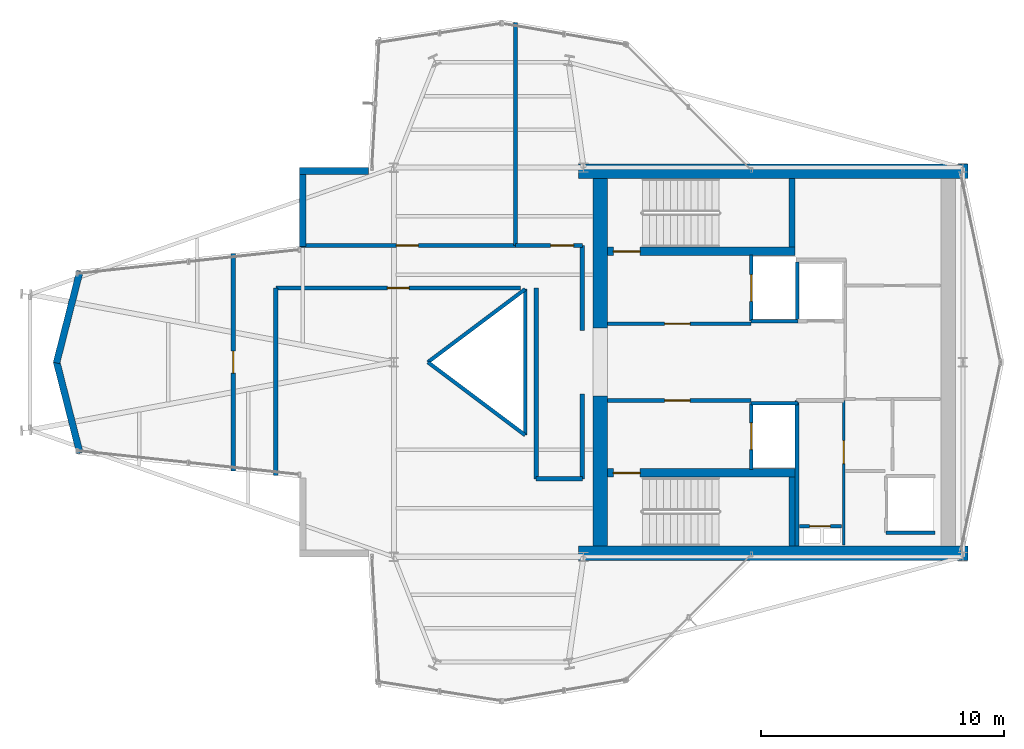
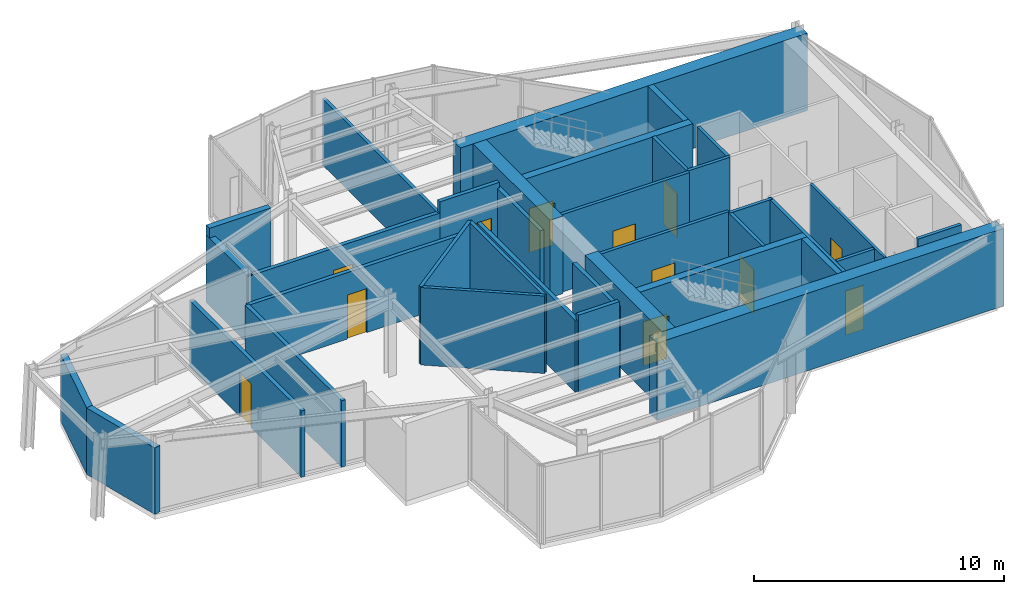
# One storey, part 11 of 13: 36 walls, 12 doors, 12 openings.
"""IFC4 building model written with IfcOpenShell, lengths in metres."""

from ifc_helpers import new_model, si_unit, direction, frame, frame_2d, origin, place, context, subcontext, project, spatial, rectangle, extrude, material, layer, layer_set, type_object, element, fill, save


model = new_model("IFC4")

# Units and contexts
model_context = context("Model", 3, precision=1e-05, world=origin(), true_north=direction((0.0, 1.0)))
body_context = subcontext(model_context, "Body", "Model", "MODEL_VIEW")
ifc_project = project(units=[si_unit("LENGTHUNIT", "METRE"), si_unit("AREAUNIT", "SQUARE_METRE"), si_unit("VOLUMEUNIT", "CUBIC_METRE"), si_unit("PLANEANGLEUNIT", "RADIAN"), si_unit("MASSUNIT", "GRAM", prefix="KILO")], contexts=[model_context])

# Site, building, storey
site_placement = place(None, origin())
site = spatial("IfcSite", under=ifc_project, at=site_placement, CompositionType="ELEMENT")
building_placement = place(site_placement, origin())
building = spatial("IfcBuilding", under=site, at=building_placement, Name="Veymaron Broadcast Tower", CompositionType="ELEMENT")
storey_placement = place(building_placement, frame((0.0, 0.0, 311.39990234375)))
storey = spatial("IfcBuildingStorey", under=building, at=storey_placement, Name="L73", CompositionType="ELEMENT", Elevation=311.39990234375)

# Walls
ifc_material_1 = material(Name="Precast concrete C40/50", Category="concrete")
ifc_layer_1 = layer(ifc_material_1, 0.280029296875)
ifc_layer_set_1 = layer_set([ifc_layer_1], Name="Precast concrete C40/50")
wall_type_1 = type_object("IfcWallType", Name="WALL-EXT-280", PredefinedType="STANDARD", material=ifc_layer_set_1)
wall_1_placement = place(storey_placement, frame((30.159912109375, 31.860107421875, 0.0), z_axis=(0.0, 0.0, 1.0), x_axis=(-1.0, 0.0, 0.0)))
element("IfcWall", 1, at=wall_1_placement, inside=storey, type_object=wall_type_1, Name="L73 notched corner facade pier 9-1", PredefinedType="STANDARD", context=body_context, shape_type="SweptSolid", body=[
    extrude(rectangle(XDim=2.84619140625, YDim=0.280029296875, at=frame_2d((1.423095703125, 0.0))), origin(), (0.0, 0.0, 1.0), 3.780029296875),
])
wall_2_placement = place(storey_placement, frame((27.45361328125, 32.0, 0.0), z_axis=(0.0, 0.0, 1.0), x_axis=(0.0, -1.0, 0.0)))
element("IfcWall", 2, at=wall_2_placement, inside=storey, type_object=wall_type_1, Name="L73 notched corner facade pier 10-1", PredefinedType="STANDARD", context=body_context, shape_type="SweptSolid", body=[
    extrude(rectangle(XDim=3.239990234375, YDim=0.280029296875, at=frame_2d((1.6201171875, 0.0))), origin(), (0.0, 0.0, 1.0), 3.30908203125),
])
for number, where, z_axis, x_axis, name in (
    (3, (18.295654296875, 27.74560546875, 0.0), (0.0, 0.0, 1.0), (-0.247303248327, -0.968938131857, 0.0), "L73 notched corner facade pier 12-1"),
    (4, (17.330810546875, 24.03466796875, 0.0), (0.0, 0.0, 1.0), (0.247303248327, -0.968938131857, 0.0), "L73 notched corner facade pier 13-1"),
):
    element("IfcWall", number, at=place(storey_placement, frame(where, z_axis=z_axis, x_axis=x_axis)), inside=storey, type_object=wall_type_1, Name=name, PredefinedType="STANDARD", context=body_context, shape_type="SweptSolid", body=[
        extrude(rectangle(XDim=3.9013671875, YDim=0.280029296875, at=frame_2d((1.95068359375, 0.0))), origin(), (0.0, 0.0, 1.0), 3.239990234375),
    ])

# Wall, opening, door
ifc_material_2 = material(Name="Gypsum fireboard and steel stud framing", Category="steel")
ifc_layer_2 = layer(ifc_material_2, 0.14990234375)
ifc_layer_set_2 = layer_set([ifc_layer_2], Name="Gypsum fireboard and steel stud framing")
wall_type_2 = type_object("IfcWallType", Name="WALL-FIRE-150", PredefinedType="PARTITIONING", material=ifc_layer_set_2)
wall_3_placement = place(storey_placement, frame((39.97998046875, 25.574951171875, 0.0), z_axis=(0.0, 0.0, 1.0), x_axis=(1.0, 0.0, 0.0)))
wall_3 = element("IfcWall", 5, at=wall_3_placement, inside=storey, type_object=wall_type_2, Name="L73 partition IW-L73-FFLN-S", PredefinedType="PARTITIONING", context=body_context, shape_type="SweptSolid", body=[
    extrude(rectangle(XDim=5.89990234375, YDim=0.14990234375, at=frame_2d((2.949951171875, 0.0))), origin(), (0.0, 0.0, 1.0), 3.780029296875),
])
opening_1_placement = place(wall_3_placement, frame((2.35009765625, 0.0, 0.0)))
opening_1 = element("IfcOpeningElement", 6, at=opening_1_placement, cuts=wall_3, Name="Opening ID-FL1", PredefinedType="OPENING", context=body_context, shape_type="SweptSolid", body=[
    extrude(rectangle(XDim=1.050048828125, YDim=2.14990234375, at=frame_2d((0.52490234375, 1.074951171875))), frame((0.0, 0.0849609375, 0.0), z_axis=(0.0, -1.0, 0.0), x_axis=(1.0, 0.0, 0.0)), (0.0, 0.0, 1.0), 0.169921875),
])
ifc_material_3 = material(Name="Fire-rated painted hollow steel ASTM A653", Category="steel")
door_type_1 = type_object("IfcDoorType", Name="DOOR-FIRE-1050", OperationType="NOTDEFINED", PredefinedType="DOOR", material=ifc_material_3)
door_1_placement = place(opening_1_placement, origin())
door_1 = element("IfcDoor", 7, at=door_1_placement, inside=storey, type_object=door_type_1, Name="L73 door DR-L73-FFLN", OperationType="SINGLE_SWING_LEFT", OverallHeight=2.14990234375, OverallWidth=1.050048828125, PredefinedType="DOOR", context=body_context, shape_type="SweptSolid", body=[
    extrude(rectangle(XDim=1.050048828125, YDim=2.14990234375, at=frame_2d((0.52490234375, 1.074951171875))), frame((0.0, 0.02490234375, 0.0), z_axis=(0.0, -1.0, 0.0), x_axis=(1.0, 0.0, 0.0)), (0.0, 0.0, 1.0), 0.050048828125),
])
fill(opening_1, door_1)

wall_4_placement = place(storey_placement, frame((39.97998046875, 22.425048828125, 0.0), z_axis=(0.0, 0.0, 1.0), x_axis=(1.0, 0.0, 0.0)))
wall_4 = element("IfcWall", 8, at=wall_4_placement, inside=storey, type_object=wall_type_2, Name="L73 partition IW-L73-FFLS-N", PredefinedType="PARTITIONING", context=body_context, shape_type="SweptSolid", body=[
    extrude(rectangle(XDim=5.89990234375, YDim=0.14990234375, at=frame_2d((2.949951171875, 0.0))), origin(), (0.0, 0.0, 1.0), 3.780029296875),
])
opening_2_placement = place(wall_4_placement, frame((2.35009765625, 0.0, 0.0)))
opening_2 = element("IfcOpeningElement", 9, at=opening_2_placement, cuts=wall_4, Name="Opening ID-FL1", PredefinedType="OPENING", context=body_context, shape_type="SweptSolid", body=[
    extrude(rectangle(XDim=1.050048828125, YDim=2.14990234375, at=frame_2d((0.52490234375, 1.074951171875))), frame((0.0, 0.0849609375, 0.0), z_axis=(0.0, -1.0, 0.0), x_axis=(1.0, 0.0, 0.0)), (0.0, 0.0, 1.0), 0.169921875),
])
door_2_placement = place(opening_2_placement, frame((1.050048828125, 0.0, 0.0), z_axis=(0.0, 0.0, 1.0), x_axis=(-1.0, 0.0, 0.0)))
door_2 = element("IfcDoor", 10, at=door_2_placement, inside=storey, type_object=door_type_1, Name="L73 door DR-L73-FFLS", OperationType="SINGLE_SWING_RIGHT", OverallHeight=2.14990234375, OverallWidth=1.050048828125, PredefinedType="DOOR", context=body_context, shape_type="SweptSolid", body=[
    extrude(rectangle(XDim=1.050048828125, YDim=2.14990234375, at=frame_2d((0.52490234375, 1.074951171875))), frame((0.0, 0.02490234375, 0.0), z_axis=(0.0, -1.0, 0.0), x_axis=(1.0, 0.0, 0.0)), (0.0, 0.0, 1.0), 0.050048828125),
])
fill(opening_2, door_2)

wall_5_placement = place(storey_placement, frame((45.89501953125, 25.68994140625, 0.0), z_axis=(0.0, 0.0, 1.0), x_axis=(0.0, 1.0, 0.0)))
wall_5 = element("IfcWall", 11, at=wall_5_placement, inside=storey, type_object=wall_type_2, Name="L73 partition IW-L73-SHW-FFL-1", PredefinedType="PARTITIONING", context=body_context, shape_type="SweptSolid", body=[
    extrude(rectangle(XDim=2.719970703125, YDim=0.14990234375, at=frame_2d((1.35986328125, 0.0))), origin(), (0.0, 0.0, 1.0), 3.780029296875),
])
opening_3_placement = place(wall_5_placement, frame((0.81005859375, 0.0, 0.0)))
opening_3 = element("IfcOpeningElement", 12, at=opening_3_placement, cuts=wall_5, Name="Opening LD", PredefinedType="OPENING", context=body_context, shape_type="SweptSolid", body=[
    extrude(rectangle(XDim=1.10009765625, YDim=2.14990234375, at=frame_2d((0.550048828125, 1.074951171875))), frame((0.0, 0.0849609375, 0.0), z_axis=(0.0, -1.0, 0.0), x_axis=(1.0, 0.0, 0.0)), (0.0, 0.0, 1.0), 0.169921875),
])
ifc_material_4 = material(Name="Brushed stainless steel AISI 304", Category="steel")
door_type_2 = type_object("IfcDoorType", Name="DOOR-LIFT-1100", OperationType="DOUBLE_DOOR_SLIDING", PredefinedType="DOOR", material=ifc_material_4)
door_3_placement = place(opening_3_placement, frame((1.10009765625, 0.0, 0.0), z_axis=(0.0, 0.0, 1.0), x_axis=(-1.0, 0.0, 0.0)))
door_3 = element("IfcDoor", 13, at=door_3_placement, inside=storey, type_object=door_type_2, Name="L73 door LD-L73-FFL-1", OperationType="DOUBLE_DOOR_SLIDING", OverallHeight=2.14990234375, OverallWidth=1.10009765625, PredefinedType="DOOR", context=body_context, shape_type="SweptSolid", body=[
    extrude(rectangle(XDim=1.10009765625, YDim=2.14990234375, at=frame_2d((0.550048828125, 1.074951171875))), frame((0.0, 0.02490234375, 0.0), z_axis=(0.0, -1.0, 0.0), x_axis=(1.0, 0.0, 0.0)), (0.0, 0.0, 1.0), 0.050048828125),
])
fill(opening_3, door_3)

# Wall
wall_6_placement = place(storey_placement, frame((45.89501953125, 25.68994140625, 0.0), z_axis=(0.0, 0.0, 1.0), x_axis=(1.0, 0.0, 0.0)))
element("IfcWall", 14, at=wall_6_placement, inside=storey, type_object=wall_type_2, Name="L73 partition IW-L73-SHS-FFL-1", PredefinedType="PARTITIONING", context=body_context, shape_type="SweptSolid", body=[
    extrude(rectangle(XDim=1.9150390625, YDim=0.14990234375, at=frame_2d((0.95751953125, 0.0))), origin(), (0.0, 0.0, 1.0), 3.780029296875),
])

# Wall, opening, door
wall_7_placement = place(storey_placement, frame((45.89501953125, 19.590087890625, 0.0), z_axis=(0.0, 0.0, 1.0), x_axis=(0.0, 1.0, 0.0)))
wall_7 = element("IfcWall", 15, at=wall_7_placement, inside=storey, type_object=wall_type_2, Name="L73 partition IW-L73-SHW-FFL-2", PredefinedType="PARTITIONING", context=body_context, shape_type="SweptSolid", body=[
    extrude(rectangle(XDim=2.719970703125, YDim=0.14990234375, at=frame_2d((1.35986328125, 0.0))), origin(), (0.0, 0.0, 1.0), 3.780029296875),
])
opening_4_placement = place(wall_7_placement, frame((0.81005859375, 0.0, 0.0)))
opening_4 = element("IfcOpeningElement", 16, at=opening_4_placement, cuts=wall_7, Name="Opening LD", PredefinedType="OPENING", context=body_context, shape_type="SweptSolid", body=[
    extrude(rectangle(XDim=1.10009765625, YDim=2.14990234375, at=frame_2d((0.550048828125, 1.074951171875))), frame((0.0, 0.0849609375, 0.0), z_axis=(0.0, -1.0, 0.0), x_axis=(1.0, 0.0, 0.0)), (0.0, 0.0, 1.0), 0.169921875),
])
door_4_placement = place(opening_4_placement, frame((1.10009765625, 0.0, 0.0), z_axis=(0.0, 0.0, 1.0), x_axis=(-1.0, 0.0, 0.0)))
door_4 = element("IfcDoor", 17, at=door_4_placement, inside=storey, type_object=door_type_2, Name="L73 door LD-L73-FFL-2", OperationType="DOUBLE_DOOR_SLIDING", OverallHeight=2.14990234375, OverallWidth=1.10009765625, PredefinedType="DOOR", context=body_context, shape_type="SweptSolid", body=[
    extrude(rectangle(XDim=1.10009765625, YDim=2.14990234375, at=frame_2d((0.550048828125, 1.074951171875))), frame((0.0, 0.02490234375, 0.0), z_axis=(0.0, -1.0, 0.0), x_axis=(1.0, 0.0, 0.0)), (0.0, 0.0, 1.0), 0.050048828125),
])
fill(opening_4, door_4)

# Walls
wall_8_placement = place(storey_placement, frame((45.89501953125, 22.31005859375, 0.0), z_axis=(0.0, 0.0, 1.0), x_axis=(1.0, 0.0, 0.0)))
element("IfcWall", 18, at=wall_8_placement, inside=storey, type_object=wall_type_2, Name="L73 partition IW-L73-SHN-FFL-2", PredefinedType="PARTITIONING", context=body_context, shape_type="SweptSolid", body=[
    extrude(rectangle(XDim=1.9150390625, YDim=0.14990234375, at=frame_2d((0.95751953125, 0.0))), origin(), (0.0, 0.0, 1.0), 3.780029296875),
])
wall_9_placement = place(storey_placement, frame((47.7900390625, 25.695068359375, 0.0), z_axis=(0.0, 0.0, 1.0), x_axis=(0.0, 1.0, 0.0)))
element("IfcWall", 19, at=wall_9_placement, inside=storey, type_object=wall_type_2, Name="L73 partition IW-L73-SHW-SL-1", PredefinedType="PARTITIONING", context=body_context, shape_type="SweptSolid", body=[
    extrude(rectangle(XDim=2.4150390625, YDim=0.14990234375, at=frame_2d((1.20751953125, 0.0))), origin(), (0.0, 0.0, 1.0), 3.780029296875),
])
wall_10_placement = place(storey_placement, frame((51.445068359375, 16.989990234375, 0.0), z_axis=(0.0, 0.0, 1.0), x_axis=(1.0, 0.0, 0.0)))
element("IfcWall", 20, at=wall_10_placement, inside=storey, type_object=wall_type_2, Name="L73 partition IW-L73-SHS-PH1", PredefinedType="PARTITIONING", context=body_context, shape_type="SweptSolid", body=[
    extrude(rectangle(XDim=2.014892578125, YDim=0.14990234375, at=frame_2d((1.00732421875, 0.0))), origin(), (0.0, 0.0, 1.0), 3.780029296875),
])

# Wall, opening, door
wall_11_placement = place(storey_placement, frame((47.8798828125, 17.260009765625, 0.0), z_axis=(0.0, 0.0, 1.0), x_axis=(1.0, 0.0, 0.0)))
wall_11 = element("IfcWall", 21, at=wall_11_placement, inside=storey, type_object=wall_type_2, Name="L73 partition IW-L73-RIS-N", PredefinedType="PARTITIONING", context=body_context, shape_type="SweptSolid", body=[
    extrude(rectangle(XDim=1.72021484375, YDim=0.14990234375, at=frame_2d((0.860107421875, 0.0))), origin(), (0.0, 0.0, 1.0), 3.780029296875),
])
opening_5_placement = place(wall_11_placement, frame((0.419921875, 0.0, 0.0)))
opening_5 = element("IfcOpeningElement", 22, at=opening_5_placement, cuts=wall_11, Name="Opening ID-RS1", PredefinedType="OPENING", context=body_context, shape_type="SweptSolid", body=[
    extrude(rectangle(XDim=0.85009765625, YDim=2.14990234375, at=frame_2d((0.425048828125, 1.074951171875))), frame((0.0, 0.0849609375, 0.0), z_axis=(0.0, -1.0, 0.0), x_axis=(1.0, 0.0, 0.0)), (0.0, 0.0, 1.0), 0.169921875),
])
ifc_material_5 = material(Name="Fire-rated powder-coated steel riser leaf", Category="steel")
door_type_3 = type_object("IfcDoorType", Name="DOOR-RIS-850", OperationType="NOTDEFINED", PredefinedType="TRAPDOOR", material=ifc_material_5)
door_5_placement = place(opening_5_placement, origin())
door_5 = element("IfcDoor", 23, at=door_5_placement, inside=storey, type_object=door_type_3, Name="L73 door DR-L73-RIS", OperationType="SINGLE_SWING_LEFT", OverallHeight=2.14990234375, OverallWidth=0.85009765625, PredefinedType="TRAPDOOR", context=body_context, shape_type="SweptSolid", body=[
    extrude(rectangle(XDim=0.85009765625, YDim=2.14990234375, at=frame_2d((0.425048828125, 1.074951171875))), frame((0.0, 0.02490234375, 0.0), z_axis=(0.0, -1.0, 0.0), x_axis=(1.0, 0.0, 0.0)), (0.0, 0.0, 1.0), 0.050048828125),
])
fill(opening_5, door_5)

# Wall
wall_12_placement = place(storey_placement, frame((47.780029296875, 16.449951171875, 0.0), z_axis=(0.0, 0.0, 1.0), x_axis=(0.0, 1.0, 0.0)))
element("IfcWall", 24, at=wall_12_placement, inside=storey, type_object=wall_type_2, Name="L73 partition IW-L73-SM-W", PredefinedType="PARTITIONING", context=body_context, shape_type="SweptSolid", body=[
    extrude(rectangle(XDim=5.97509765625, YDim=0.14990234375, at=frame_2d((2.987548828125, 0.0))), origin(), (0.0, 0.0, 1.0), 3.780029296875),
])

# Wall, opening, door
ifc_material_6 = material(Name="Concrete C40/50", Category="concrete")
ifc_layer_3 = layer(ifc_material_6, 0.179931640625)
ifc_layer_set_3 = layer_set([ifc_layer_3], Name="Concrete C40/50")
wall_type_3 = type_object("IfcWallType", Name="WALL-FIRE-180", PredefinedType="SOLIDWALL", material=ifc_layer_set_3)
wall_13_placement = place(storey_placement, frame((26.35009765625, 27.050048828125, 0.0), z_axis=(0.0, 0.0, 1.0), x_axis=(1.0, 0.0, 0.0)))
wall_13 = element("IfcWall", 25, at=wall_13_placement, inside=storey, type_object=wall_type_3, Name="L73 partition IW-L73-P01", PredefinedType="SOLIDWALL", context=body_context, shape_type="SweptSolid", body=[
    extrude(rectangle(XDim=10.066650390625, YDim=0.179931640625, at=frame_2d((5.033203125, 0.0))), origin(), (0.0, 0.0, 1.0), 3.239990234375),
])
opening_6_placement = place(wall_13_placement, frame((4.583251953125, 0.0, 0.0)))
opening_6 = element("IfcOpeningElement", 26, at=opening_6_placement, cuts=wall_13, Name="Opening ID-RM2", PredefinedType="OPENING", context=body_context, shape_type="SweptSolid", body=[
    extrude(rectangle(XDim=0.89990234375, YDim=2.14990234375, at=frame_2d((0.449951171875, 1.074951171875))), frame((0.0, 0.10009765625, 0.0), z_axis=(0.0, -1.0, 0.0), x_axis=(1.0, 0.0, 0.0)), (0.0, 0.0, 1.0), 0.199951171875),
])
ifc_material_7 = material(Name="Acoustic solid-core European oak veneer timber", Category="wood")
door_type_4 = type_object("IfcDoorType", Name="DOOR-INT-900", OperationType="NOTDEFINED", PredefinedType="DOOR", material=ifc_material_7)
door_6_placement = place(opening_6_placement, frame((0.89990234375, 0.0, 0.0), z_axis=(0.0, 0.0, 1.0), x_axis=(-1.0, 0.0, 0.0)))
door_6 = element("IfcDoor", 27, at=door_6_placement, inside=storey, type_object=door_type_4, Name="L73 door DR-L73-P01", OperationType="SINGLE_SWING_RIGHT", OverallHeight=2.14990234375, OverallWidth=0.89990234375, PredefinedType="DOOR", context=body_context, shape_type="SweptSolid", body=[
    extrude(rectangle(XDim=0.89990234375, YDim=2.14990234375, at=frame_2d((0.449951171875, 1.074951171875))), frame((0.0, 0.02490234375, 0.0), z_axis=(0.0, -1.0, 0.0), x_axis=(1.0, 0.0, 0.0)), (0.0, 0.0, 1.0), 0.050048828125),
])
fill(opening_6, door_6)

wall_14_placement = place(storey_placement, frame((24.60009765625, 19.530517578125, 0.0), z_axis=(0.0, 0.0, 1.0), x_axis=(0.0, 1.0, 0.0)))
wall_14 = element("IfcWall", 28, at=wall_14_placement, inside=storey, type_object=wall_type_3, Name="L73 partition IW-L73-P06", PredefinedType="SOLIDWALL", context=body_context, shape_type="SweptSolid", body=[
    extrude(rectangle(XDim=8.93896484375, YDim=0.179931640625, at=frame_2d((4.469482421875, 0.0))), origin(), (0.0, 0.0, 1.0), 3.239990234375),
])
opening_7_placement = place(wall_14_placement, frame((4.01953125, 0.0, 0.0)))
opening_7 = element("IfcOpeningElement", 29, at=opening_7_placement, cuts=wall_14, Name="Opening ID-RM2", PredefinedType="OPENING", context=body_context, shape_type="SweptSolid", body=[
    extrude(rectangle(XDim=0.89990234375, YDim=2.14990234375, at=frame_2d((0.449951171875, 1.074951171875))), frame((0.0, 0.10009765625, 0.0), z_axis=(0.0, -1.0, 0.0), x_axis=(1.0, 0.0, 0.0)), (0.0, 0.0, 1.0), 0.199951171875),
])
door_7_placement = place(opening_7_placement, origin())
door_7 = element("IfcDoor", 30, at=door_7_placement, inside=storey, type_object=door_type_4, Name="L73 door DR-L73-P06", OperationType="SINGLE_SWING_LEFT", OverallHeight=2.14990234375, OverallWidth=0.89990234375, PredefinedType="DOOR", context=body_context, shape_type="SweptSolid", body=[
    extrude(rectangle(XDim=0.89990234375, YDim=2.14990234375, at=frame_2d((0.449951171875, 1.074951171875))), frame((0.0, 0.02490234375, 0.0), z_axis=(0.0, -1.0, 0.0), x_axis=(1.0, 0.0, 0.0)), (0.0, 0.0, 1.0), 0.050048828125),
])
fill(opening_7, door_7)

wall_15_placement = place(storey_placement, frame((27.313720703125, 28.800048828125, 0.0), z_axis=(0.0, 0.0, 1.0), x_axis=(1.0, 0.0, 0.0)))
wall_15 = element("IfcWall", 31, at=wall_15_placement, inside=storey, type_object=wall_type_3, Name="L73 partition IW-L73-P07", PredefinedType="SOLIDWALL", context=body_context, shape_type="SweptSolid", body=[
    extrude(rectangle(XDim=8.892333984375, YDim=0.179931640625, at=frame_2d((4.4462890625, 0.0))), origin(), (0.0, 0.0, 1.0), 3.239990234375),
])
opening_8_placement = place(wall_15_placement, frame((3.99609375, 0.0, 0.0)))
opening_8 = element("IfcOpeningElement", 32, at=opening_8_placement, cuts=wall_15, Name="Opening ID-RM2", PredefinedType="OPENING", context=body_context, shape_type="SweptSolid", body=[
    extrude(rectangle(XDim=0.89990234375, YDim=2.14990234375, at=frame_2d((0.449951171875, 1.074951171875))), frame((0.0, 0.10009765625, 0.0), z_axis=(0.0, -1.0, 0.0), x_axis=(1.0, 0.0, 0.0)), (0.0, 0.0, 1.0), 0.199951171875),
])
door_8_placement = place(opening_8_placement, origin())
door_8 = element("IfcDoor", 33, at=door_8_placement, inside=storey, type_object=door_type_4, Name="L73 door DR-L73-P07", OperationType="SINGLE_SWING_RIGHT", OverallHeight=2.14990234375, OverallWidth=0.89990234375, PredefinedType="DOOR", context=body_context, shape_type="SweptSolid", body=[
    extrude(rectangle(XDim=0.89990234375, YDim=2.14990234375, at=frame_2d((0.449951171875, 1.074951171875))), frame((0.0, 0.02490234375, 0.0), z_axis=(0.0, -1.0, 0.0), x_axis=(1.0, 0.0, 0.0)), (0.0, 0.0, 1.0), 0.050048828125),
])
fill(opening_8, door_8)

wall_16_placement = place(storey_placement, frame((36.2060546875, 28.800048828125, 0.0), z_axis=(0.0, 0.0, 1.0), x_axis=(1.0, 0.0, 0.0)))
wall_16 = element("IfcWall", 34, at=wall_16_placement, inside=storey, type_object=wall_type_3, Name="L73 partition IW-L73-P09", PredefinedType="SOLIDWALL", context=body_context, shape_type="SweptSolid", body=[
    extrude(rectangle(XDim=2.743896484375, YDim=0.179931640625, at=frame_2d((1.3720703125, 0.0))), origin(), (0.0, 0.0, 1.0), 3.780029296875),
])
opening_9_placement = place(wall_16_placement, frame((1.43701171875, 0.0, 0.0)))
opening_9 = element("IfcOpeningElement", 35, at=opening_9_placement, cuts=wall_16, Name="Opening ID-RM1", PredefinedType="OPENING", context=body_context, shape_type="SweptSolid", body=[
    extrude(rectangle(XDim=0.949951171875, YDim=2.14990234375, at=frame_2d((0.47509765625, 1.074951171875))), frame((0.0, 0.10009765625, 0.0), z_axis=(0.0, -1.0, 0.0), x_axis=(1.0, 0.0, 0.0)), (0.0, 0.0, 1.0), 0.199951171875),
])
door_type_5 = type_object("IfcDoorType", Name="DOOR-INT-950", OperationType="NOTDEFINED", PredefinedType="DOOR", material=ifc_material_7)
door_9_placement = place(opening_9_placement, origin())
door_9 = element("IfcDoor", 36, at=door_9_placement, inside=storey, type_object=door_type_5, Name="L73 door DR-L73-P09", OperationType="SINGLE_SWING_RIGHT", OverallHeight=2.14990234375, OverallWidth=0.949951171875, PredefinedType="DOOR", context=body_context, shape_type="SweptSolid", body=[
    extrude(rectangle(XDim=0.949951171875, YDim=2.14990234375, at=frame_2d((0.47509765625, 1.074951171875))), frame((0.0, 0.02490234375, 0.0), z_axis=(0.0, -1.0, 0.0), x_axis=(1.0, 0.0, 0.0)), (0.0, 0.0, 1.0), 0.050048828125),
])
fill(opening_9, door_9)

# Walls
wall_17_placement = place(storey_placement, frame((37.050048828125, 19.199951171875, 0.0), z_axis=(0.0, 0.0, 1.0), x_axis=(0.0, 1.0, 0.0)))
element("IfcWall", 37, at=wall_17_placement, inside=storey, type_object=wall_type_3, Name="L73 partition IW-L73-P02", PredefinedType="SOLIDWALL", context=body_context, shape_type="SweptSolid", body=[
    extrude(rectangle(XDim=7.85009765625, YDim=0.179931640625, at=frame_2d((3.925048828125, 0.0))), origin(), (0.0, 0.0, 1.0), 3.510009765625),
])
wall_18_placement = place(storey_placement, frame((26.35009765625, 19.34326171875, 0.0), z_axis=(0.0, 0.0, 1.0), x_axis=(0.0, 1.0, 0.0)))
element("IfcWall", 38, at=wall_18_placement, inside=storey, type_object=wall_type_3, Name="L73 partition IW-L73-P03", PredefinedType="SOLIDWALL", context=body_context, shape_type="SweptSolid", body=[
    extrude(rectangle(XDim=7.706787109375, YDim=0.179931640625, at=frame_2d((3.853515625, 0.0))), origin(), (0.0, 0.0, 1.0), 3.239990234375),
])
wall_19_placement = place(storey_placement, frame((38.949951171875, 19.199951171875, 0.0), z_axis=(0.0, 0.0, 1.0), x_axis=(0.0, 1.0, 0.0)))
element("IfcWall", 39, at=wall_19_placement, inside=storey, type_object=wall_type_3, Name="L73 partition IW-L73-P04", PredefinedType="SOLIDWALL", context=body_context, shape_type="SweptSolid", body=[
    extrude(rectangle(XDim=3.5, YDim=0.179931640625, at=frame_2d((1.75, 0.0))), origin(), (0.0, 0.0, 1.0), 3.510009765625),
])
wall_20_placement = place(storey_placement, frame((37.050048828125, 19.199951171875, 0.0), z_axis=(0.0, 0.0, 1.0), x_axis=(1.0, 0.0, 0.0)))
element("IfcWall", 40, at=wall_20_placement, inside=storey, type_object=wall_type_3, Name="L73 partition IW-L73-P05", PredefinedType="SOLIDWALL", context=body_context, shape_type="SweptSolid", body=[
    extrude(rectangle(XDim=1.89990234375, YDim=0.179931640625, at=frame_2d((0.949951171875, 0.0))), origin(), (0.0, 0.0, 1.0), 3.780029296875),
])
wall_21_placement = place(storey_placement, frame((38.949951171875, 25.300048828125, 0.0), z_axis=(0.0, 0.0, 1.0), x_axis=(0.0, 1.0, 0.0)))
element("IfcWall", 41, at=wall_21_placement, inside=storey, type_object=wall_type_3, Name="L73 partition IW-L73-P08", PredefinedType="SOLIDWALL", context=body_context, shape_type="SweptSolid", body=[
    extrude(rectangle(XDim=3.5, YDim=0.179931640625, at=frame_2d((1.75, 0.0))), origin(), (0.0, 0.0, 1.0), 3.510009765625),
])
ifc_material_8 = material(Name="Fire-rated laminated glass in aluminium frame", Category="aluminium")
ifc_layer_4 = layer(ifc_material_8, 0.14990234375)
ifc_layer_set_4 = layer_set([ifc_layer_4], Name="Fire-rated laminated glass in aluminium frame")
wall_type_4 = type_object("IfcWallType", Name="WALL-GLZ-150", PredefinedType="MOVABLE", material=ifc_layer_set_4)
wall_22_placement = place(storey_placement, frame((36.2060546875, 28.800048828125, 0.0), z_axis=(0.0, 0.0, 1.0), x_axis=(0.0, 1.0, 0.0)))
element("IfcWall", 42, at=wall_22_placement, inside=storey, type_object=wall_type_4, Name="L73 partition IW-L73-P10", PredefinedType="MOVABLE", context=body_context, shape_type="SweptSolid", body=[
    extrude(rectangle(XDim=9.171875, YDim=0.14990234375, at=frame_2d((4.5859375, 0.0))), origin(), (0.0, 0.0, 1.0), 3.239990234375),
])
wall_23_placement = place(storey_placement, frame((32.60009765625, 24.0, 0.0), z_axis=(0.0, 0.0, 1.0), x_axis=(0.8, -0.6, 0.0)))
element("IfcWall", 43, at=wall_23_placement, inside=storey, type_object=wall_type_4, Name="L73 partition IW-L73-ATR1", PredefinedType="MOVABLE", context=body_context, shape_type="SweptSolid", body=[
    extrude(rectangle(XDim=5.0, YDim=0.14990234375, at=frame_2d((2.5, 0.0))), origin(), (0.0, 0.0, 1.0), 3.780029296875),
])
wall_24_placement = place(storey_placement, frame((36.60009765625, 21.0, 0.0), z_axis=(0.0, 0.0, 1.0), x_axis=(0.0, 1.0, 0.0)))
element("IfcWall", 44, at=wall_24_placement, inside=storey, type_object=wall_type_4, Name="L73 partition IW-L73-ATR2", PredefinedType="MOVABLE", context=body_context, shape_type="SweptSolid", body=[
    extrude(rectangle(XDim=6.0, YDim=0.14990234375, at=frame_2d((3.0, 0.0))), origin(), (0.0, 0.0, 1.0), 3.780029296875),
])
wall_25_placement = place(storey_placement, frame((36.60009765625, 27.0, 0.0), z_axis=(0.0, 0.0, 1.0), x_axis=(-0.8, -0.6, 0.0)))
element("IfcWall", 45, at=wall_25_placement, inside=storey, type_object=wall_type_4, Name="L73 partition IW-L73-ATR3", PredefinedType="MOVABLE", context=body_context, shape_type="SweptSolid", body=[
    extrude(rectangle(XDim=5.0, YDim=0.14990234375, at=frame_2d((2.5, 0.0))), origin(), (0.0, 0.0, 1.0), 3.780029296875),
])

# Wall, opening, door
ifc_material_9 = material(Name="Acoustic gypsum board and galvanized stud", Category="gypsum")
ifc_layer_5 = layer(ifc_material_9, 0.1201171875)
ifc_layer_set_5 = layer_set([ifc_layer_5], Name="Acoustic gypsum board and galvanized stud")
wall_type_5 = type_object("IfcWallType", Name="WALL-PART-120", PredefinedType="PARTITIONING", material=ifc_layer_set_5)
wall_26_placement = place(storey_placement, frame((49.699951171875, 16.47998046875, 0.0), z_axis=(0.0, 0.0, 1.0), x_axis=(0.0, 1.0, 0.0)))
wall_26 = element("IfcWall", 46, at=wall_26_placement, inside=storey, type_object=wall_type_5, Name="L73 partition IW-L73-SM-E", PredefinedType="PARTITIONING", context=body_context, shape_type="SweptSolid", body=[
    extrude(rectangle(XDim=5.945068359375, YDim=0.1201171875, at=frame_2d((2.97265625, 0.0))), origin(), (0.0, 0.0, 1.0), 3.780029296875),
])
opening_10_placement = place(wall_26_placement, frame((3.35009765625, 0.0, 0.0)))
opening_10 = element("IfcOpeningElement", 47, at=opening_10_placement, cuts=wall_26, Name="Opening ID-RM1", PredefinedType="OPENING", context=body_context, shape_type="SweptSolid", body=[
    extrude(rectangle(XDim=0.949951171875, YDim=2.14990234375, at=frame_2d((0.47509765625, 1.074951171875))), frame((0.0, 0.070068359375, 0.0), z_axis=(0.0, -1.0, 0.0), x_axis=(1.0, 0.0, 0.0)), (0.0, 0.0, 1.0), 0.14013671875),
])
door_10_placement = place(opening_10_placement, frame((0.949951171875, 0.0, 0.0), z_axis=(0.0, 0.0, 1.0), x_axis=(-1.0, 0.0, 0.0)))
door_10 = element("IfcDoor", 48, at=door_10_placement, inside=storey, type_object=door_type_5, Name="L73 door DR-L73-AWC", OperationType="SINGLE_SWING_LEFT", OverallHeight=2.14990234375, OverallWidth=0.949951171875, PredefinedType="DOOR", context=body_context, shape_type="SweptSolid", body=[
    extrude(rectangle(XDim=0.949951171875, YDim=2.14990234375, at=frame_2d((0.47509765625, 1.074951171875))), frame((0.0, 0.02490234375, 0.0), z_axis=(0.0, -1.0, 0.0), x_axis=(1.0, 0.0, 0.0)), (0.0, 0.0, 1.0), 0.050048828125),
])
fill(opening_10, door_10)

# Walls
ifc_material_10 = material(Name="Concrete C50/60", Category="concrete")
ifc_layer_6 = layer(ifc_material_10, 0.25)
ifc_layer_set_6 = layer_set([ifc_layer_6], Name="Concrete C50/60")
wall_type_6 = type_object("IfcWallType", Name="WALL-SHEAR-250", PredefinedType="SHEAR", material=ifc_layer_set_6)
for number, where, z_axis, x_axis, name in (
    (49, (47.56494140625, 28.72998046875, 0.0), (0.0, 0.0, 1.0), (0.0, 1.0, 0.0), "L73 Core Wall north stair east shear"),
    (50, (47.56494140625, 16.449951171875, 0.0), (0.0, 0.0, 1.0), (0.0, 1.0, 0.0), "L73 Core Wall south stair east shear"),
):
    element("IfcWall", number, at=place(storey_placement, frame(where, z_axis=z_axis, x_axis=x_axis)), inside=storey, type_object=wall_type_6, Name=name, PredefinedType="SHEAR", context=body_context, shape_type="SweptSolid", body=[
        extrude(rectangle(XDim=2.820068359375, YDim=0.25, at=frame_2d((1.41015625, 0.0))), origin(), (0.0, 0.0, 1.0), 3.780029296875),
    ])

# Wall, opening, door
ifc_layer_7 = layer(ifc_material_10, 0.35009765625)
ifc_layer_set_7 = layer_set([ifc_layer_7], Name="Concrete C50/60")
wall_type_7 = type_object("IfcWallType", Name="WALL-SHEAR-350", PredefinedType="SHEAR", material=ifc_layer_set_7)
wall_27_placement = place(storey_placement, frame((39.97998046875, 28.554931640625, 0.0), z_axis=(0.0, 0.0, 1.0), x_axis=(1.0, 0.0, 0.0)))
wall_27 = element("IfcWall", 51, at=wall_27_placement, inside=storey, type_object=wall_type_7, Name="L73 Core Wall north stair spine", PredefinedType="SHEAR", context=body_context, shape_type="SweptSolid", body=[
    extrude(rectangle(XDim=7.7099609375, YDim=0.35009765625, at=frame_2d((3.85498046875, 0.0))), origin(), (0.0, 0.0, 1.0), 3.780029296875),
])
opening_11_placement = place(wall_27_placement, frame((0.25, 0.0, 0.0)))
opening_11 = element("IfcOpeningElement", 52, at=opening_11_placement, cuts=wall_27, Name="Opening ID-ST1", PredefinedType="OPENING", context=body_context, shape_type="SweptSolid", body=[
    extrude(rectangle(XDim=1.10009765625, YDim=2.14990234375, at=frame_2d((0.550048828125, 1.074951171875))), frame((0.0, 0.18505859375, 0.0), z_axis=(0.0, -1.0, 0.0), x_axis=(1.0, 0.0, 0.0)), (0.0, 0.0, 1.0), 0.3701171875),
])
door_type_6 = type_object("IfcDoorType", Name="DOOR-STAIR-1100", OperationType="NOTDEFINED", PredefinedType="DOOR", material=ifc_material_3)
door_11_placement = place(opening_11_placement, origin())
door_11 = element("IfcDoor", 53, at=door_11_placement, inside=storey, type_object=door_type_6, Name="L73 exit stair ST1 fire door", OperationType="SINGLE_SWING_RIGHT", OverallHeight=2.14990234375, OverallWidth=1.10009765625, PredefinedType="DOOR", context=body_context, shape_type="SweptSolid", body=[
    extrude(rectangle(XDim=1.10009765625, YDim=2.14990234375, at=frame_2d((0.550048828125, 1.074951171875))), frame((0.0, 0.02490234375, 0.0), z_axis=(0.0, -1.0, 0.0), x_axis=(1.0, 0.0, 0.0)), (0.0, 0.0, 1.0), 0.050048828125),
])
fill(opening_11, door_11)

wall_28_placement = place(storey_placement, frame((39.97998046875, 19.445068359375, 0.0), z_axis=(0.0, 0.0, 1.0), x_axis=(1.0, 0.0, 0.0)))
wall_28 = element("IfcWall", 54, at=wall_28_placement, inside=storey, type_object=wall_type_7, Name="L73 Core Wall south stair spine", PredefinedType="SHEAR", context=body_context, shape_type="SweptSolid", body=[
    extrude(rectangle(XDim=7.7099609375, YDim=0.35009765625, at=frame_2d((3.85498046875, 0.0))), origin(), (0.0, 0.0, 1.0), 3.780029296875),
])
opening_12_placement = place(wall_28_placement, frame((0.25, 0.0, 0.0)))
opening_12 = element("IfcOpeningElement", 55, at=opening_12_placement, cuts=wall_28, Name="Opening ID-ST1", PredefinedType="OPENING", context=body_context, shape_type="SweptSolid", body=[
    extrude(rectangle(XDim=1.10009765625, YDim=2.14990234375, at=frame_2d((0.550048828125, 1.074951171875))), frame((0.0, 0.18505859375, 0.0), z_axis=(0.0, -1.0, 0.0), x_axis=(1.0, 0.0, 0.0)), (0.0, 0.0, 1.0), 0.3701171875),
])
door_12_placement = place(opening_12_placement, frame((1.10009765625, 0.0, 0.0), z_axis=(0.0, 0.0, 1.0), x_axis=(-1.0, 0.0, 0.0)))
door_12 = element("IfcDoor", 56, at=door_12_placement, inside=storey, type_object=door_type_6, Name="L73 exit stair ST2 fire door", OperationType="SINGLE_SWING_LEFT", OverallHeight=2.14990234375, OverallWidth=1.10009765625, PredefinedType="DOOR", context=body_context, shape_type="SweptSolid", body=[
    extrude(rectangle(XDim=1.10009765625, YDim=2.14990234375, at=frame_2d((0.550048828125, 1.074951171875))), frame((0.0, 0.02490234375, 0.0), z_axis=(0.0, -1.0, 0.0), x_axis=(1.0, 0.0, 0.0)), (0.0, 0.0, 1.0), 0.050048828125),
])
fill(opening_12, door_12)

# Walls
ifc_layer_8 = layer(ifc_material_10, 0.60009765625)
ifc_layer_set_8 = layer_set([ifc_layer_8], Name="Concrete C50/60")
wall_type_8 = type_object("IfcWallType", Name="WALL-SHEAR-600", PredefinedType="SHEAR", material=ifc_layer_set_8)
for number, where, z_axis, x_axis, name in (
    (57, (38.800048828125, 31.85009765625, 0.0), (0.0, 0.0, 1.0), (1.0, 0.0, 0.0), "L73 Core Wall north shear"),
    (58, (38.800048828125, 16.14990234375, 0.0), (0.0, 0.0, 1.0), (1.0, 0.0, 0.0), "L73 Core Wall south shear"),
):
    element("IfcWall", number, at=place(storey_placement, frame(where, z_axis=z_axis, x_axis=x_axis)), inside=storey, type_object=wall_type_8, Name=name, PredefinedType="SHEAR", context=body_context, shape_type="SweptSolid", body=[
        extrude(rectangle(XDim=16.0, YDim=0.60009765625, at=frame_2d((8.0, 0.0))), origin(), (0.0, 0.0, 1.0), 3.780029296875),
    ])
for number, where, z_axis, x_axis, name in (
    (59, (39.679931640625, 16.449951171875, 0.0), (0.0, 0.0, 1.0), (0.0, 1.0, 0.0), "L73 Core Wall west-south shear"),
    (60, (39.679931640625, 25.39990234375, 0.0), (0.0, 0.0, 1.0), (0.0, 1.0, 0.0), "L73 Core Wall west-north shear"),
):
    element("IfcWall", number, at=place(storey_placement, frame(where, z_axis=z_axis, x_axis=x_axis)), inside=storey, type_object=wall_type_8, Name=name, PredefinedType="SHEAR", context=body_context, shape_type="SweptSolid", body=[
        extrude(rectangle(XDim=6.150146484375, YDim=0.60009765625, at=frame_2d((3.0751953125, 0.0))), origin(), (0.0, 0.0, 1.0), 3.780029296875),
    ])

save(model, "model.ifc")
